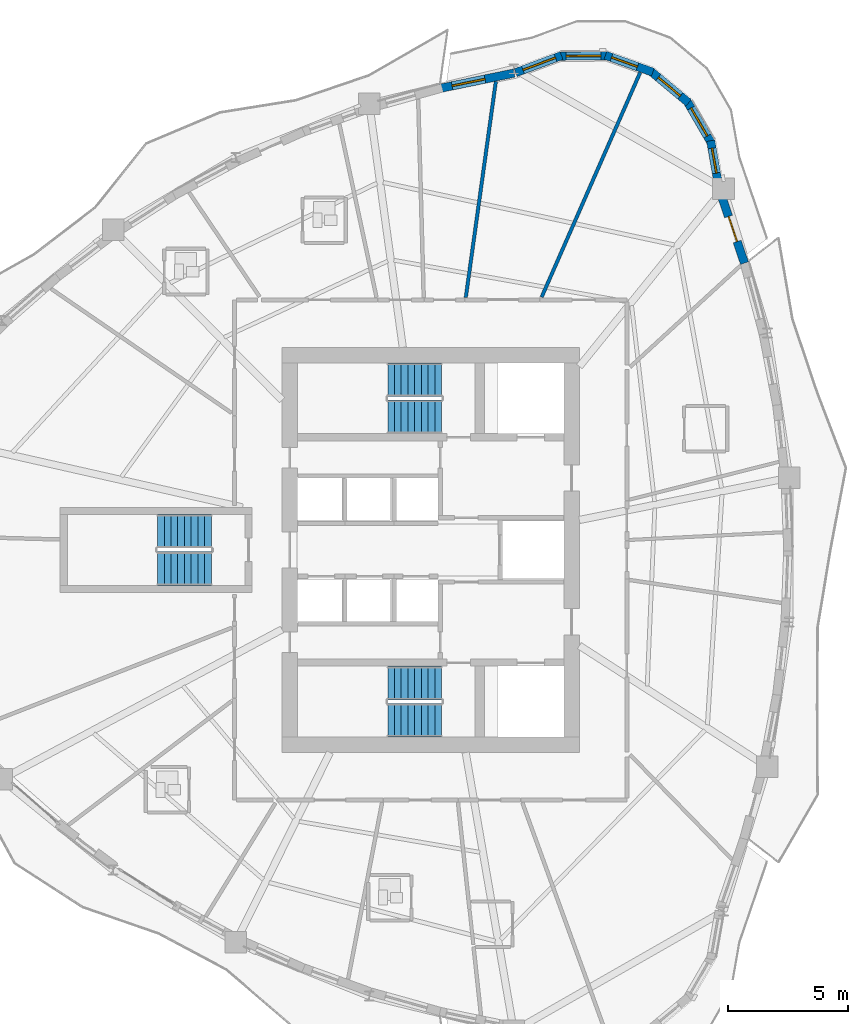
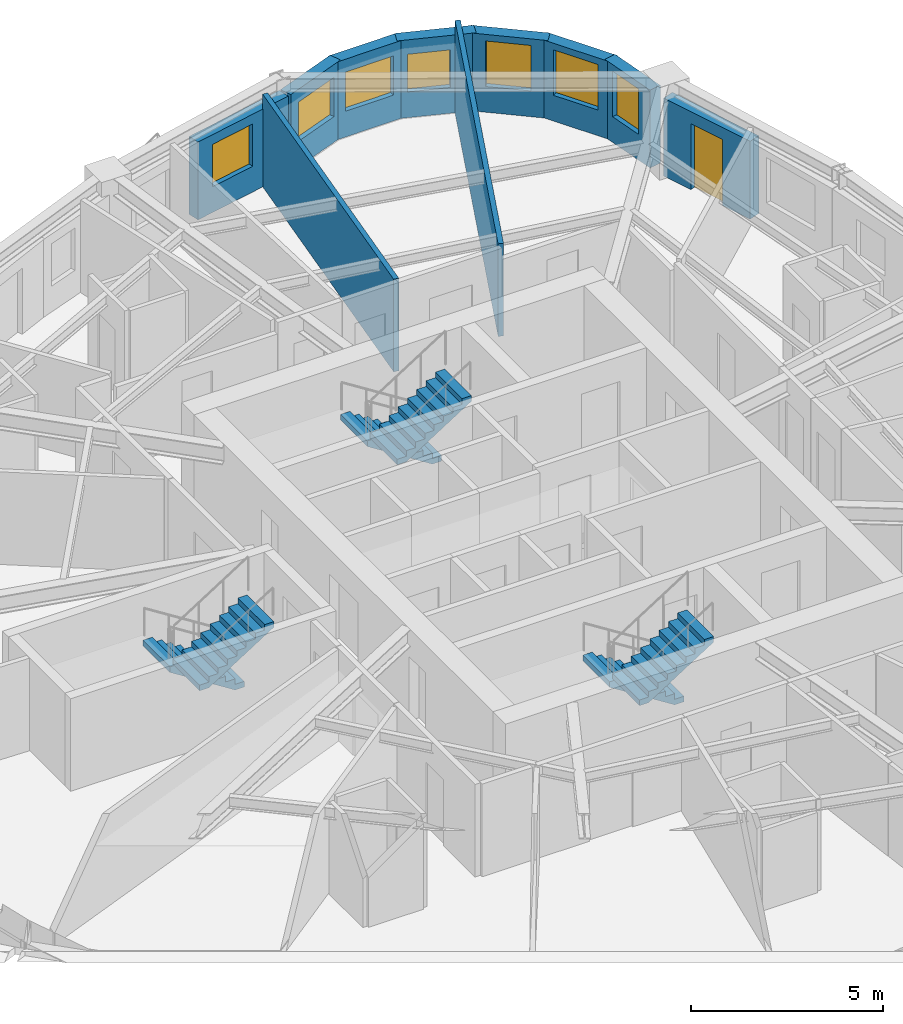
# One storey, part 10 of 15: 10 walls, 7 windows, 6 stair flights, 1 door, 8 openings, 3 elements without a shape of their own.
"""IFC4 building model written with IfcOpenShell, lengths in metres."""

from ifc_helpers import new_model, si_unit, direction, frame, frame_2d, origin, place, context, subcontext, project, spatial, polyline, rectangle, outline, extrude, source, transform, mapped, material, layer, layer_set, type_object, element, fill, aggregate, save


model = new_model("IFC4")

# Units and contexts
model_context = context("Model", 3, precision=1e-05, world=origin(), true_north=direction((0.0, 1.0)))
body_context = subcontext(model_context, "Body", "Model", "MODEL_VIEW")
ifc_project = project(units=[si_unit("LENGTHUNIT", "METRE"), si_unit("AREAUNIT", "SQUARE_METRE"), si_unit("VOLUMEUNIT", "CUBIC_METRE"), si_unit("PLANEANGLEUNIT", "RADIAN"), si_unit("MASSUNIT", "GRAM", prefix="KILO")], contexts=[model_context])

# Site, building, storey
site_placement = place(None, origin())
site = spatial("IfcSite", under=ifc_project, at=site_placement, CompositionType="ELEMENT")
building_placement = place(site_placement, origin())
building = spatial("IfcBuilding", under=site, at=building_placement, Name="Qafzar Sky-Pleat Residences", CompositionType="ELEMENT")
storey_placement = place(building_placement, frame((0.0, 0.0, 70.39990234375)))
storey = spatial("IfcBuildingStorey", under=building, at=storey_placement, Name="L20", CompositionType="ELEMENT", Elevation=70.39990234375)

# Walls
ifc_material_1 = material(Name="Acoustic gypsum plasterboard partition", Category="gypsum")
ifc_layer_1 = layer(ifc_material_1, 0.14501953125)
ifc_layer_set_1 = layer_set([ifc_layer_1], Name="Acoustic gypsum plasterboard partition")
wall_type_1 = type_object("IfcWallType", Name="PART-UNIT-145", PredefinedType="PARTITIONING", material=ifc_layer_set_1)
wall_1_placement = place(storey_placement, frame((34.97705078125, 36.54638671875, 0.0), z_axis=(0.0, 0.0, 1.0), x_axis=(0.40175384449, 0.915747699117, 0.0)))
element("IfcWall", 1, at=wall_1_placement, inside=storey, type_object=wall_type_1, Name="L20 Partition Wall PART-L20-PW-027", PredefinedType="PARTITIONING", context=body_context, shape_type="SweptSolid", body=[
    extrude(rectangle(XDim=10.229736328125, YDim=0.14501953125, at=frame_2d((5.11474609375, 0.0))), origin(), (0.0, 0.0, 1.0), 2.9501953125),
])
wall_2_placement = place(storey_placement, frame((31.813720703125, 36.52783203125, 0.0), z_axis=(0.0, 0.0, 1.0), x_axis=(0.137724115974, 0.990470629488, 0.0)))
element("IfcWall", 2, at=wall_2_placement, inside=storey, type_object=wall_type_1, Name="L20 Partition Wall PART-L20-PW-029", PredefinedType="PARTITIONING", context=body_context, shape_type="SweptSolid", body=[
    extrude(rectangle(XDim=9.09912109375, YDim=0.14501953125, at=frame_2d((4.549560546875, 0.0))), origin(), (0.0, 0.0, 1.0), 2.9501953125),
])

# Wall, opening, door
ifc_material_2 = material(Name="Precast concrete C40/50 with honed Riyadh limestone", Category="concrete")
ifc_layer_2 = layer(ifc_material_2, 0.35009765625)
ifc_layer_set_2 = layer_set([ifc_layer_2], Name="Precast concrete C40/50 with honed Riyadh limestone")
wall_type_2 = type_object("IfcWallType", Name="WALL-EXT-350", PredefinedType="SOLIDWALL", material=ifc_layer_set_2)
wall_3_placement = place(storey_placement, frame((43.437255859375, 37.9609375, 0.0), z_axis=(0.0, 0.0, 1.0), x_axis=(-0.323572555921, 0.946203361363, 0.0)))
wall_3 = element("IfcWall", 3, at=wall_3_placement, inside=storey, type_object=wall_type_2, Name="L20 Limestone Facade Wall 32", PredefinedType="SOLIDWALL", context=body_context, shape_type="SweptSolid", body=[
    extrude(rectangle(XDim=2.997802734375, YDim=0.35009765625, at=frame_2d((1.4990234375, 0.0))), origin(), (0.0, 0.0, 1.0), 2.47998046875),
])
opening_1_placement = place(wall_3_placement, frame((0.953857421875, 0.0, 0.0)))
opening_1 = element("IfcOpeningElement", 4, at=opening_1_placement, cuts=wall_3, Name="Opening ED-06", PredefinedType="OPENING", context=body_context, shape_type="SweptSolid", body=[
    extrude(rectangle(XDim=1.10009765625, YDim=2.10009765625, at=frame_2d((0.550048828125, 1.050048828125))), frame((0.0, 0.18505859375, 0.0), z_axis=(0.0, -1.0, 0.0), x_axis=(1.0, 0.0, 0.0)), (0.0, 0.0, 1.0), 0.3701171875),
])
ifc_material_3 = material(Name="Glazed bronze aluminium door", Category="aluminium")
door_type = type_object("IfcDoorType", Name="DR-BAL-1100", OperationType="NOTDEFINED", PredefinedType="DOOR", material=ifc_material_3)
shared_shape_1 = source(origin(), body_context, "Body", "SweptSolid", [
    extrude(rectangle(XDim=1.10009765625, YDim=2.10009765625, at=frame_2d((0.550048828125, 1.050048828125))), frame((0.0, 0.02490234375, 0.0), z_axis=(0.0, -1.0, 0.0), x_axis=(1.0, 0.0, 0.0)), (0.0, 0.0, 1.0), 0.050048828125),
])
door_placement = place(opening_1_placement, origin())
door = element("IfcDoor", 5, at=door_placement, inside=storey, type_object=door_type, Name="L20 Terrace Glazed Door 2", OperationType="SINGLE_SWING_LEFT", OverallHeight=2.10009765625, OverallWidth=1.10009765625, PredefinedType="DOOR", context=body_context, shape_type="MappedRepresentation", body=[
    mapped(shared_shape_1, transform((0.0, 0.0, 0.0), x_axis=(1.0, 0.0, 0.0), y_axis=(0.0, 1.0, 0.0), z_axis=(0.0, 0.0, 1.0), scale=1.0)),
])
fill(opening_1, door)

# Wall, opening, window
wall_4_placement = place(storey_placement, frame((42.348388671875, 41.2578125, 0.0), z_axis=(0.0, 0.0, 1.0), x_axis=(-0.174331490339, 0.984687022092, 0.0)))
wall_4 = element("IfcWall", 6, at=wall_4_placement, inside=storey, type_object=wall_type_2, Name="L20 Limestone Facade Wall 33", PredefinedType="SOLIDWALL", context=body_context, shape_type="SweptSolid", body=[
    extrude(rectangle(XDim=1.8359375, YDim=0.35009765625, at=frame_2d((0.91796875, 0.0))), origin(), (0.0, 0.0, 1.0), 2.47998046875),
])
opening_2_placement = place(wall_4_placement, frame((0.468017578125, 0.0, 0.820068359375)))
opening_2 = element("IfcOpeningElement", 7, at=opening_2_placement, cuts=wall_4, Name="Opening WN-06", PredefinedType="OPENING", context=body_context, shape_type="SweptSolid", body=[
    extrude(rectangle(XDim=1.050048828125, YDim=1.449951171875, at=frame_2d((0.52490234375, 0.72509765625))), frame((0.0, 0.18505859375, 0.0), z_axis=(0.0, -1.0, 0.0), x_axis=(1.0, 0.0, 0.0)), (0.0, 0.0, 1.0), 0.3701171875),
])
ifc_material_4 = material(Name="Solar-control low-E glass in bronze aluminium frame", Category="glass")
window_type_1 = type_object("IfcWindowType", Name="WIN-06", PartitioningType="SINGLE_PANEL", PredefinedType="WINDOW", material=ifc_material_4)
shared_shape_2 = source(origin(), body_context, "Body", "SweptSolid", [
    extrude(rectangle(XDim=1.050048828125, YDim=1.449951171875, at=frame_2d((0.52490234375, 0.72509765625))), frame((0.0, 0.030029296875, 0.0), z_axis=(0.0, -1.0, 0.0), x_axis=(1.0, 0.0, 0.0)), (0.0, 0.0, 1.0), 0.06005859375),
])
window_1_placement = place(opening_2_placement, origin())
window_1 = element("IfcWindow", 8, at=window_1_placement, inside=storey, type_object=window_type_1, Name="L20 Punched Facade Window 33", OverallHeight=1.449951171875, OverallWidth=1.050048828125, PartitioningType="SINGLE_PANEL", PredefinedType="WINDOW", context=body_context, shape_type="MappedRepresentation", body=[
    mapped(shared_shape_2, transform((0.0, 0.0, 0.0), x_axis=(1.0, 0.0, 0.0), y_axis=(0.0, 1.0, 0.0), z_axis=(0.0, 0.0, 1.0), scale=1.0)),
])
fill(opening_2, window_1)

wall_5_placement = place(storey_placement, frame((42.074951171875, 42.93798828125, 0.0), z_axis=(0.0, 0.0, 1.0), x_axis=(-0.501902596059, 0.864924149315, 0.0)))
wall_5 = element("IfcWall", 9, at=wall_5_placement, inside=storey, type_object=wall_type_2, Name="L20 Limestone Facade Wall 34", PredefinedType="SOLIDWALL", context=body_context, shape_type="SweptSolid", body=[
    extrude(rectangle(XDim=2.098876953125, YDim=0.35009765625, at=frame_2d((1.04931640625, 0.0))), origin(), (0.0, 0.0, 1.0), 2.47998046875),
])
opening_3_placement = place(wall_5_placement, frame((0.37451171875, 0.0, 0.820068359375)))
opening_3 = element("IfcOpeningElement", 10, at=opening_3_placement, cuts=wall_5, Name="Opening WN-04", PredefinedType="OPENING", context=body_context, shape_type="SweptSolid", body=[
    extrude(rectangle(XDim=1.35009765625, YDim=1.449951171875, at=frame_2d((0.675048828125, 0.72509765625))), frame((0.0, 0.18505859375, 0.0), z_axis=(0.0, -1.0, 0.0), x_axis=(1.0, 0.0, 0.0)), (0.0, 0.0, 1.0), 0.3701171875),
])
window_type_2 = type_object("IfcWindowType", Name="WIN-04", PartitioningType="SINGLE_PANEL", PredefinedType="WINDOW", material=ifc_material_4)
shared_shape_3 = source(origin(), body_context, "Body", "SweptSolid", [
    extrude(rectangle(XDim=1.35009765625, YDim=1.449951171875, at=frame_2d((0.675048828125, 0.72509765625))), frame((0.0, 0.030029296875, 0.0), z_axis=(0.0, -1.0, 0.0), x_axis=(1.0, 0.0, 0.0)), (0.0, 0.0, 1.0), 0.06005859375),
])
window_2_placement = place(opening_3_placement, origin())
window_2 = element("IfcWindow", 11, at=window_2_placement, inside=storey, type_object=window_type_2, Name="L20 Punched Facade Window 34", OverallHeight=1.449951171875, OverallWidth=1.35009765625, PartitioningType="SINGLE_PANEL", PredefinedType="WINDOW", context=body_context, shape_type="MappedRepresentation", body=[
    mapped(shared_shape_3, transform((0.0, 0.0, 0.0), x_axis=(1.0, 0.0, 0.0), y_axis=(0.0, 1.0, 0.0), z_axis=(0.0, 0.0, 1.0), scale=1.0)),
])
fill(opening_3, window_2)

wall_6_placement = place(storey_placement, frame((41.10888671875, 44.649658203125, 0.0), z_axis=(0.0, 0.0, 1.0), x_axis=(-0.768450068703, 0.639909752942, 0.0)))
wall_6 = element("IfcWall", 12, at=wall_6_placement, inside=storey, type_object=wall_type_2, Name="L20 Limestone Facade Wall 35", PredefinedType="SOLIDWALL", context=body_context, shape_type="SweptSolid", body=[
    extrude(rectangle(XDim=2.098876953125, YDim=0.35009765625, at=frame_2d((1.04931640625, 0.0))), origin(), (0.0, 0.0, 1.0), 2.47998046875),
])
opening_4_placement = place(wall_6_placement, frame((0.449462890625, 0.0, 0.820068359375)))
opening_4 = element("IfcOpeningElement", 13, at=opening_4_placement, cuts=wall_6, Name="Opening WN-05", PredefinedType="OPENING", context=body_context, shape_type="SweptSolid", body=[
    extrude(rectangle(XDim=1.199951171875, YDim=1.449951171875, at=frame_2d((0.60009765625, 0.72509765625))), frame((0.0, 0.18505859375, 0.0), z_axis=(0.0, -1.0, 0.0), x_axis=(1.0, 0.0, 0.0)), (0.0, 0.0, 1.0), 0.3701171875),
])
window_type_3 = type_object("IfcWindowType", Name="WIN-05", PartitioningType="SINGLE_PANEL", PredefinedType="WINDOW", material=ifc_material_4)
shared_shape_4 = source(origin(), body_context, "Body", "SweptSolid", [
    extrude(rectangle(XDim=1.199951171875, YDim=1.449951171875, at=frame_2d((0.60009765625, 0.72509765625))), frame((0.0, 0.030029296875, 0.0), z_axis=(0.0, -1.0, 0.0), x_axis=(1.0, 0.0, 0.0)), (0.0, 0.0, 1.0), 0.06005859375),
])
window_3_placement = place(opening_4_placement, origin())
window_3 = element("IfcWindow", 14, at=window_3_placement, inside=storey, type_object=window_type_3, Name="L20 Punched Facade Window 35", OverallHeight=1.449951171875, OverallWidth=1.199951171875, PartitioningType="SINGLE_PANEL", PredefinedType="WINDOW", context=body_context, shape_type="MappedRepresentation", body=[
    mapped(shared_shape_4, transform((0.0, 0.0, 0.0), x_axis=(1.0, 0.0, 0.0), y_axis=(0.0, 1.0, 0.0), z_axis=(0.0, 0.0, 1.0), scale=1.0)),
])
fill(opening_4, window_3)

wall_7_placement = place(storey_placement, frame((39.614013671875, 45.92529296875, 0.0), z_axis=(0.0, 0.0, 1.0), x_axis=(-0.941486401639, 0.33705096874, 0.0)))
wall_7 = element("IfcWall", 15, at=wall_7_placement, inside=storey, type_object=wall_type_2, Name="L20 Limestone Facade Wall 36", PredefinedType="SOLIDWALL", context=body_context, shape_type="SweptSolid", body=[
    extrude(rectangle(XDim=2.09912109375, YDim=0.35009765625, at=frame_2d((1.049560546875, 0.0))), origin(), (0.0, 0.0, 1.0), 2.47998046875),
])
opening_5_placement = place(wall_7_placement, frame((0.679931640625, 0.0, 0.820068359375)))
opening_5 = element("IfcOpeningElement", 16, at=opening_5_placement, cuts=wall_7, Name="Opening WN-16", PredefinedType="OPENING", context=body_context, shape_type="SweptSolid", body=[
    extrude(rectangle(XDim=1.14990234375, YDim=1.199951171875, at=frame_2d((0.574951171875, 0.60009765625))), frame((0.0, 0.18505859375, 0.0), z_axis=(0.0, -1.0, 0.0), x_axis=(1.0, 0.0, 0.0)), (0.0, 0.0, 1.0), 0.3701171875),
])
window_type_4 = type_object("IfcWindowType", Name="WIN-16", PartitioningType="SINGLE_PANEL", PredefinedType="WINDOW", material=ifc_material_4)
shared_shape_5 = source(origin(), body_context, "Body", "SweptSolid", [
    extrude(rectangle(XDim=1.14990234375, YDim=1.199951171875, at=frame_2d((0.574951171875, 0.60009765625))), frame((0.0, 0.030029296875, 0.0), z_axis=(0.0, -1.0, 0.0), x_axis=(1.0, 0.0, 0.0)), (0.0, 0.0, 1.0), 0.06005859375),
])
window_4_placement = place(opening_5_placement, origin())
window_4 = element("IfcWindow", 17, at=window_4_placement, inside=storey, type_object=window_type_4, Name="L20 Punched Facade Window 36-2", OverallHeight=1.199951171875, OverallWidth=1.14990234375, PartitioningType="SINGLE_PANEL", PredefinedType="WINDOW", context=body_context, shape_type="MappedRepresentation", body=[
    mapped(shared_shape_5, transform((0.0, 0.0, 0.0), x_axis=(1.0, 0.0, 0.0), y_axis=(0.0, 1.0, 0.0), z_axis=(0.0, 0.0, 1.0), scale=1.0)),
])
fill(opening_5, window_4)

wall_8_placement = place(storey_placement, frame((37.771728515625, 46.610107421875, 0.0), z_axis=(0.0, 0.0, 1.0), x_axis=(-0.999976451414, -0.006862697526, 0.0)))
wall_8 = element("IfcWall", 18, at=wall_8_placement, inside=storey, type_object=wall_type_2, Name="L20 Limestone Facade Wall 37", PredefinedType="SOLIDWALL", context=body_context, shape_type="SweptSolid", body=[
    extrude(rectangle(XDim=2.098876953125, YDim=0.35009765625, at=frame_2d((1.04931640625, 0.0))), origin(), (0.0, 0.0, 1.0), 2.47998046875),
])
opening_6_placement = place(wall_8_placement, frame((0.324462890625, 0.0, 0.820068359375)))
opening_6 = element("IfcOpeningElement", 19, at=opening_6_placement, cuts=wall_8, Name="Opening WN-15", PredefinedType="OPENING", context=body_context, shape_type="SweptSolid", body=[
    extrude(rectangle(XDim=1.449951171875, YDim=1.25, at=frame_2d((0.72509765625, 0.625))), frame((0.0, 0.18505859375, 0.0), z_axis=(0.0, -1.0, 0.0), x_axis=(1.0, 0.0, 0.0)), (0.0, 0.0, 1.0), 0.3701171875),
])
window_type_5 = type_object("IfcWindowType", Name="WIN-15", PartitioningType="SINGLE_PANEL", PredefinedType="WINDOW", material=ifc_material_4)
shared_shape_6 = source(origin(), body_context, "Body", "SweptSolid", [
    extrude(rectangle(XDim=1.449951171875, YDim=1.25, at=frame_2d((0.72509765625, 0.625))), frame((0.0, 0.030029296875, 0.0), z_axis=(0.0, -1.0, 0.0), x_axis=(1.0, 0.0, 0.0)), (0.0, 0.0, 1.0), 0.06005859375),
])
window_5_placement = place(opening_6_placement, origin())
window_5 = element("IfcWindow", 20, at=window_5_placement, inside=storey, type_object=window_type_5, Name="L20 Punched Facade Window 37", OverallHeight=1.25, OverallWidth=1.449951171875, PartitioningType="SINGLE_PANEL", PredefinedType="WINDOW", context=body_context, shape_type="MappedRepresentation", body=[
    mapped(shared_shape_6, transform((0.0, 0.0, 0.0), x_axis=(1.0, 0.0, 0.0), y_axis=(0.0, 1.0, 0.0), z_axis=(0.0, 0.0, 1.0), scale=1.0)),
])
fill(opening_6, window_5)

wall_9_placement = place(storey_placement, frame((35.806396484375, 46.6201171875, 0.0), z_axis=(0.0, 0.0, 1.0), x_axis=(-0.936863987578, -0.34969396446, 0.0)))
wall_9 = element("IfcWall", 21, at=wall_9_placement, inside=storey, type_object=wall_type_2, Name="L20 Limestone Facade Wall 38", PredefinedType="SOLIDWALL", context=body_context, shape_type="SweptSolid", body=[
    extrude(rectangle(XDim=2.040771484375, YDim=0.35009765625, at=frame_2d((1.0205078125, 0.0))), origin(), (0.0, 0.0, 1.0), 2.47998046875),
])
opening_7_placement = place(wall_9_placement, frame((0.265380859375, 0.0, 0.820068359375)))
opening_7 = element("IfcOpeningElement", 22, at=opening_7_placement, cuts=wall_9, Name="Opening WN-15", PredefinedType="OPENING", context=body_context, shape_type="SweptSolid", body=[
    extrude(rectangle(XDim=1.449951171875, YDim=1.25, at=frame_2d((0.72509765625, 0.625))), frame((0.0, 0.18505859375, 0.0), z_axis=(0.0, -1.0, 0.0), x_axis=(1.0, 0.0, 0.0)), (0.0, 0.0, 1.0), 0.3701171875),
])
window_6_placement = place(opening_7_placement, origin())
window_6 = element("IfcWindow", 23, at=window_6_placement, inside=storey, type_object=window_type_5, Name="L20 Punched Facade Window 38", OverallHeight=1.25, OverallWidth=1.449951171875, PartitioningType="SINGLE_PANEL", PredefinedType="WINDOW", context=body_context, shape_type="MappedRepresentation", body=[
    mapped(shared_shape_6, transform((0.0, 0.0, 0.0), x_axis=(1.0, 0.0, 0.0), y_axis=(0.0, 1.0, 0.0), z_axis=(0.0, 0.0, 1.0), scale=1.0)),
])
fill(opening_7, window_6)

wall_10_placement = place(storey_placement, frame((33.830322265625, 45.887939453125, 0.0), z_axis=(0.0, 0.0, 1.0), x_axis=(-0.979439051097, -0.201740291429, 0.0)))
wall_10 = element("IfcWall", 24, at=wall_10_placement, inside=storey, type_object=wall_type_2, Name="L20 Limestone Facade Wall 39", PredefinedType="SOLIDWALL", context=body_context, shape_type="SweptSolid", body=[
    extrude(rectangle(XDim=3.15380859375, YDim=0.35009765625, at=frame_2d((1.576904296875, 0.0))), origin(), (0.0, 0.0, 1.0), 2.47998046875),
])
opening_8_placement = place(wall_10_placement, frame((1.241943359375, 0.0, 0.820068359375)))
opening_8 = element("IfcOpeningElement", 25, at=opening_8_placement, cuts=wall_10, Name="Opening WN-10", PredefinedType="OPENING", context=body_context, shape_type="SweptSolid", body=[
    extrude(rectangle(XDim=1.39990234375, YDim=1.35009765625, at=frame_2d((0.699951171875, 0.675048828125))), frame((0.0, 0.18505859375, 0.0), z_axis=(0.0, -1.0, 0.0), x_axis=(1.0, 0.0, 0.0)), (0.0, 0.0, 1.0), 0.3701171875),
])
window_type_6 = type_object("IfcWindowType", Name="WIN-10", PartitioningType="SINGLE_PANEL", PredefinedType="WINDOW", material=ifc_material_4)
shared_shape_7 = source(origin(), body_context, "Body", "SweptSolid", [
    extrude(rectangle(XDim=1.39990234375, YDim=1.35009765625, at=frame_2d((0.699951171875, 0.675048828125))), frame((0.0, 0.030029296875, 0.0), z_axis=(0.0, -1.0, 0.0), x_axis=(1.0, 0.0, 0.0)), (0.0, 0.0, 1.0), 0.06005859375),
])
window_7_placement = place(opening_8_placement, origin())
window_7 = element("IfcWindow", 26, at=window_7_placement, inside=storey, type_object=window_type_6, Name="L20 Punched Facade Window 39-2", OverallHeight=1.35009765625, OverallWidth=1.39990234375, PartitioningType="SINGLE_PANEL", PredefinedType="WINDOW", context=body_context, shape_type="MappedRepresentation", body=[
    mapped(shared_shape_7, transform((0.0, 0.0, 0.0), x_axis=(1.0, 0.0, 0.0), y_axis=(0.0, 1.0, 0.0), z_axis=(0.0, 0.0, 1.0), scale=1.0)),
])
fill(opening_8, window_7)

# Stair, stair flights
ifc_material_5 = material(Name="Concrete C40/50", Category="concrete")
stair_type = type_object("IfcStairType", Name="STAIR-H320", PredefinedType="HALF_TURN_STAIR", material=ifc_material_5)
stair_1_placement = place(storey_placement, origin())
stair_1 = element("IfcStair", 27, at=stair_1_placement, inside=storey, type_object=stair_type, Name="L20 Protected Exit Stair ST1", PredefinedType="HALF_TURN_STAIR")
stair_flight_type = type_object("IfcStairFlightType", Name="FLIGHT-H320", PredefinedType="STRAIGHT", material=ifc_material_5)
shared_shape_8 = source(origin(), body_context, "Body", "SweptSolid", [
    extrude(outline(polyline([(0.0, 0.0), (0.0, 0.177734375), (0.280029296875, 0.177734375), (0.280029296875, 0.35546875), (0.56005859375, 0.35546875), (0.56005859375, 0.533447265625), (0.840087890625, 0.533447265625), (0.840087890625, 0.711181640625), (1.1201171875, 0.711181640625), (1.1201171875, 0.888916015625), (1.39990234375, 0.888916015625), (1.39990234375, 1.066650390625), (1.679931640625, 1.066650390625), (1.679931640625, 1.244384765625), (1.9599609375, 1.244384765625), (1.9599609375, 1.422119140625), (2.239990234375, 1.422119140625), (2.239990234375, 1.60009765625), (2.239990234375, 1.24462890625), (0.27978515625, 0.0), (0.0, 0.0)])), frame((0.0, 0.699951171875, 0.0), z_axis=(0.0, -1.0, 0.0), x_axis=(1.0, 0.0, 0.0)), (0.0, 0.0, 1.0), 1.39990234375),
])
stair_flight_1_placement = place(storey_placement, frame((30.800048828125, 20.449951171875, 0.0), z_axis=(0.0, 0.0, 1.0), x_axis=(-1.0, 0.0, 0.0)))
stair_flight_1 = element("IfcStairFlight", 28, at=stair_flight_1_placement, type_object=stair_flight_type, Name="ST1 flight 1", NumberOfRisers=9, NumberOfTreads=8, PredefinedType="STRAIGHT", RiserHeight=0.177777778, TreadLength=0.28, context=body_context, shape_type="MappedRepresentation", body=[
    mapped(shared_shape_8, transform((0.0, 0.0, 0.0), x_axis=(1.0, 0.0, 0.0), y_axis=(0.0, 1.0, 0.0), z_axis=(0.0, 0.0, 1.0), scale=1.0)),
])
stair_flight_2_placement = place(storey_placement, frame((28.56005859375, 18.89990234375, 1.60009765625), z_axis=(0.0, 0.0, 1.0), x_axis=(1.0, 0.0, 0.0)))
stair_flight_2 = element("IfcStairFlight", 29, at=stair_flight_2_placement, type_object=stair_flight_type, Name="ST1 flight 2", NumberOfRisers=9, NumberOfTreads=8, PredefinedType="STRAIGHT", RiserHeight=0.177777778, TreadLength=0.28, context=body_context, shape_type="MappedRepresentation", body=[
    mapped(shared_shape_8, transform((0.0, 0.0, 0.0), x_axis=(1.0, 0.0, 0.0), y_axis=(0.0, 1.0, 0.0), z_axis=(0.0, 0.0, 1.0), scale=1.0)),
])
aggregate(stair_1, [stair_flight_1, stair_flight_2])

stair_2_placement = place(storey_placement, origin())
stair_2 = element("IfcStair", 30, at=stair_2_placement, inside=storey, type_object=stair_type, Name="L20 Protected Exit Stair ST2", PredefinedType="HALF_TURN_STAIR")
stair_flight_3_placement = place(storey_placement, frame((30.800048828125, 33.10009765625, 0.0), z_axis=(0.0, 0.0, 1.0), x_axis=(-1.0, 0.0, 0.0)))
stair_flight_3 = element("IfcStairFlight", 31, at=stair_flight_3_placement, type_object=stair_flight_type, Name="ST2 flight 1", NumberOfRisers=9, NumberOfTreads=8, PredefinedType="STRAIGHT", RiserHeight=0.177777778, TreadLength=0.28, context=body_context, shape_type="MappedRepresentation", body=[
    mapped(shared_shape_8, transform((0.0, 0.0, 0.0), x_axis=(1.0, 0.0, 0.0), y_axis=(0.0, 1.0, 0.0), z_axis=(0.0, 0.0, 1.0), scale=1.0)),
])
stair_flight_4_placement = place(storey_placement, frame((28.56005859375, 31.550048828125, 1.60009765625), z_axis=(0.0, 0.0, 1.0), x_axis=(1.0, 0.0, 0.0)))
stair_flight_4 = element("IfcStairFlight", 32, at=stair_flight_4_placement, type_object=stair_flight_type, Name="ST2 flight 2", NumberOfRisers=9, NumberOfTreads=8, PredefinedType="STRAIGHT", RiserHeight=0.177777778, TreadLength=0.28, context=body_context, shape_type="MappedRepresentation", body=[
    mapped(shared_shape_8, transform((0.0, 0.0, 0.0), x_axis=(1.0, 0.0, 0.0), y_axis=(0.0, 1.0, 0.0), z_axis=(0.0, 0.0, 1.0), scale=1.0)),
])
aggregate(stair_2, [stair_flight_3, stair_flight_4])

stair_3_placement = place(storey_placement, origin())
stair_3 = element("IfcStair", 33, at=stair_3_placement, inside=storey, type_object=stair_type, Name="L20 Protected Exit Stair ST3", PredefinedType="HALF_TURN_STAIR")
stair_flight_5_placement = place(storey_placement, frame((21.199951171875, 26.77490234375, 0.0), z_axis=(0.0, 0.0, 1.0), x_axis=(-1.0, 0.0, 0.0)))
stair_flight_5 = element("IfcStairFlight", 34, at=stair_flight_5_placement, type_object=stair_flight_type, Name="ST3 flight 1", NumberOfRisers=9, NumberOfTreads=8, PredefinedType="STRAIGHT", RiserHeight=0.177777778, TreadLength=0.28, context=body_context, shape_type="MappedRepresentation", body=[
    mapped(shared_shape_8, transform((0.0, 0.0, 0.0), x_axis=(1.0, 0.0, 0.0), y_axis=(0.0, 1.0, 0.0), z_axis=(0.0, 0.0, 1.0), scale=1.0)),
])
stair_flight_6_placement = place(storey_placement, frame((18.9599609375, 25.22509765625, 1.60009765625), z_axis=(0.0, 0.0, 1.0), x_axis=(1.0, 0.0, 0.0)))
stair_flight_6 = element("IfcStairFlight", 35, at=stair_flight_6_placement, type_object=stair_flight_type, Name="ST3 flight 2", NumberOfRisers=9, NumberOfTreads=8, PredefinedType="STRAIGHT", RiserHeight=0.177777778, TreadLength=0.28, context=body_context, shape_type="MappedRepresentation", body=[
    mapped(shared_shape_8, transform((0.0, 0.0, 0.0), x_axis=(1.0, 0.0, 0.0), y_axis=(0.0, 1.0, 0.0), z_axis=(0.0, 0.0, 1.0), scale=1.0)),
])
aggregate(stair_3, [stair_flight_5, stair_flight_6])

save(model, "model.ifc")
